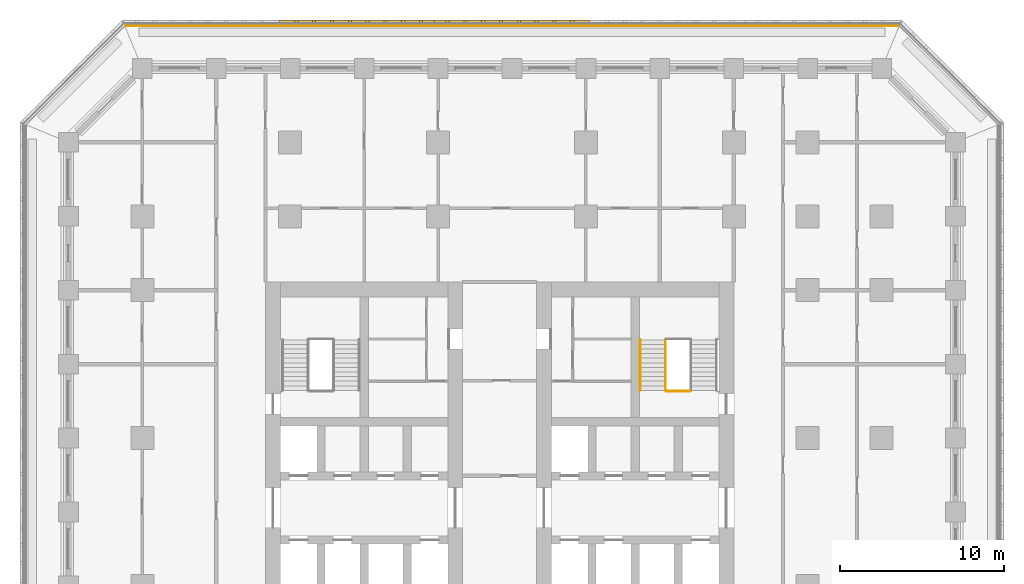
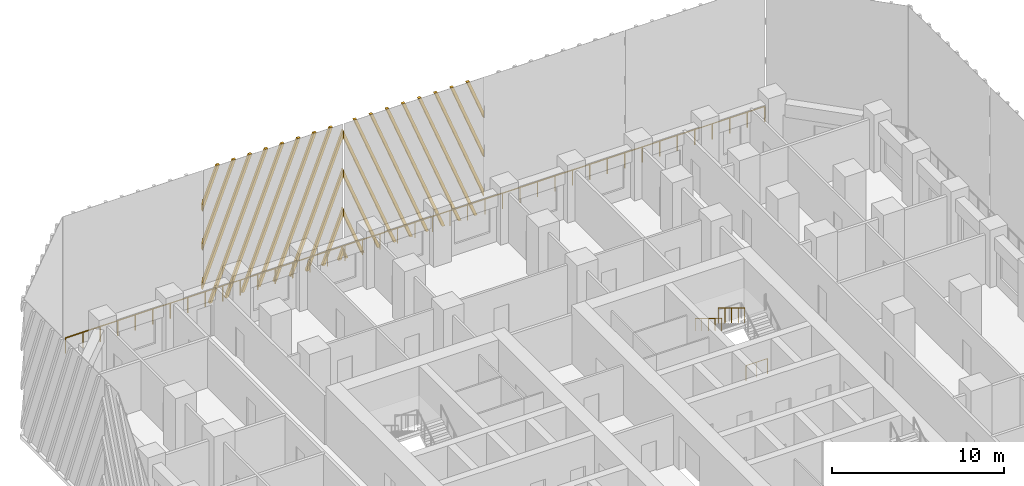
# One storey, part 17 of 20: 4 railings, 2 shading devices.
"""IFC4 building model written with IfcOpenShell, lengths in metres."""

from ifc_helpers import new_model, si_unit, direction, frame, origin, origin_2d, place, context, subcontext, project, spatial, polyline, circle, outline, extrude, source, transform, mapped, material, type_object, element, save


model = new_model("IFC4")

# Units and contexts
model_context = context("Model", 3, precision=1e-05, world=origin(), true_north=direction((0.0, 1.0)))
body_context = subcontext(model_context, "Body", "Model", "MODEL_VIEW")
ifc_project = project(units=[si_unit("LENGTHUNIT", "METRE"), si_unit("AREAUNIT", "SQUARE_METRE"), si_unit("VOLUMEUNIT", "CUBIC_METRE"), si_unit("PLANEANGLEUNIT", "RADIAN"), si_unit("MASSUNIT", "GRAM", prefix="KILO")], contexts=[model_context])

# Site, building, storey
site_placement = place(None, origin())
site = spatial("IfcSite", under=ifc_project, at=site_placement, CompositionType="ELEMENT")
building_placement = place(site_placement, origin())
building = spatial("IfcBuilding", under=site, at=building_placement, Name="Corbel Stack Research Tower", CompositionType="ELEMENT")
storey_placement = place(building_placement, frame((0.0, 0.0, 106.60009765625)))
storey = spatial("IfcBuildingStorey", under=building, at=storey_placement, Name="L24", CompositionType="ELEMENT", Elevation=106.60009765625)

# Railings
ifc_material_1 = material(Name="Steel S355", Category="steel")
railing_type_1 = type_object("IfcRailingType", Name="Stair guard 1100", PredefinedType="GUARDRAIL", material=ifc_material_1)
railing_1_placement = place(storey_placement, frame((13.85009765625, 14.97998046875, 2.220703125)))
element("IfcRailing", 1, at=railing_1_placement, inside=storey, type_object=railing_type_1, Name="L24 ST-E2 stair guard 4", PredefinedType="GUARDRAIL", context=body_context, shape_type="SweptSolid", body=[
    extrude(circle(Radius=0.02392578125, at=origin_2d()), frame((0.0, 0.0, 1.076171875), z_axis=(0.0, -0.853666305674, 0.52082035152), x_axis=(1.0, 0.0, 0.0)), (0.0, 0.0, 1.0), 3.608154296875),
    extrude(circle(Radius=0.02099609375, at=origin_2d()), origin(), (0.0, 0.0, 1.0), 1.052001953125),
    extrude(circle(Radius=0.02099609375, at=origin_2d()), frame((0.0, -0.77001953125, 0.4697265625)), (0.0, 0.0, 1.0), 1.052001953125),
    extrude(circle(Radius=0.02099609375, at=origin_2d()), frame((0.0, -1.5400390625, 0.939453125)), (0.0, 0.0, 1.0), 1.052001953125),
    extrude(circle(Radius=0.02099609375, at=origin_2d()), frame((0.0, -2.31005859375, 1.409423828125)), (0.0, 0.0, 1.0), 1.052001953125),
    extrude(circle(Radius=0.02099609375, at=origin_2d()), frame((0.0, -3.080078125, 1.879150390625)), (0.0, 0.0, 1.0), 1.052001953125),
])
railing_2_placement = place(storey_placement, frame((15.35009765625, 11.85009765625, 0.0)))
element("IfcRailing", 2, at=railing_2_placement, inside=storey, type_object=railing_type_1, Name="L24 ST-E2 stair guard 5", PredefinedType="GUARDRAIL", context=body_context, shape_type="SweptSolid", body=[
    extrude(circle(Radius=0.02392578125, at=origin_2d()), frame((0.0, 0.0, 1.076171875), z_axis=(-1.0, 0.0, 0.0), x_axis=(0.0, -1.0, 0.0)), (0.0, 0.0, 1.0), 1.4501953125),
    extrude(circle(Radius=0.02099609375, at=origin_2d()), origin(), (0.0, 0.0, 1.0), 1.052001953125),
    extrude(circle(Radius=0.02099609375, at=origin_2d()), frame((-0.72509765625, 0.0, 0.0)), (0.0, 0.0, 1.0), 1.052001953125),
    extrude(circle(Radius=0.02099609375, at=origin_2d()), frame((-1.4501953125, 0.0, 0.0)), (0.0, 0.0, 1.0), 1.052001953125),
])
ifc_material_2 = material(Name="Steel S355", Category="steel")
railing_type_2 = type_object("IfcRailingType", Name="Stair handrail 900", PredefinedType="HANDRAIL", material=ifc_material_2)
railing_3_placement = place(storey_placement, frame((12.300048828125, 14.97998046875, 2.220703125)))
element("IfcRailing", 3, at=railing_3_placement, inside=storey, type_object=railing_type_2, Name="L24 ST-E2 stair handrail 2", PredefinedType="HANDRAIL", context=body_context, shape_type="SweptSolid", body=[
    extrude(circle(Radius=0.02392578125, at=origin_2d()), frame((0.0, 0.0, 0.8759765625), z_axis=(0.0, -0.853666305674, 0.52082035152), x_axis=(1.0, 0.0, 0.0)), (0.0, 0.0, 1.0), 3.608154296875),
    extrude(circle(Radius=0.02099609375, at=origin_2d()), origin(), (0.0, 0.0, 1.0), 0.851806640625),
    extrude(circle(Radius=0.02099609375, at=origin_2d()), frame((0.0, -0.77001953125, 0.4697265625)), (0.0, 0.0, 1.0), 0.851806640625),
    extrude(circle(Radius=0.02099609375, at=origin_2d()), frame((0.0, -1.5400390625, 0.939453125)), (0.0, 0.0, 1.0), 0.851806640625),
    extrude(circle(Radius=0.02099609375, at=origin_2d()), frame((0.0, -2.31005859375, 1.409423828125)), (0.0, 0.0, 1.0), 0.851806640625),
    extrude(circle(Radius=0.02099609375, at=origin_2d()), frame((0.0, -3.080078125, 1.879150390625)), (0.0, 0.0, 1.0), 0.851806640625),
])
ifc_material_3 = material(Name="Powder-coated steel guard", Category="steel")
railing_type_3 = type_object("IfcRailingType", Name="Steel and glass guard 1100", PredefinedType="GUARDRAIL", material=ifc_material_3)
railing_4_placement = place(storey_placement, frame((28.00537109375, 34.10009765625, 0.0)))
element("IfcRailing", 4, at=railing_4_placement, inside=storey, type_object=railing_type_3, Name="Loggia guard L24 N", PredefinedType="GUARDRAIL", context=body_context, shape_type="SweptSolid", body=[
    extrude(circle(Radius=0.02392578125, at=origin_2d()), frame((0.0, 0.0, 1.076171875), z_axis=(-1.0, 0.0, 0.0), x_axis=(0.0, -1.0, 0.0)), (0.0, 0.0, 1.0), 47.0107421875),
    extrude(circle(Radius=0.02099609375, at=origin_2d()), origin(), (0.0, 0.0, 1.0), 1.052001953125),
    extrude(circle(Radius=0.02099609375, at=origin_2d()), frame((-1.17529296875, 0.0, 0.0)), (0.0, 0.0, 1.0), 1.052001953125),
    extrude(circle(Radius=0.02099609375, at=origin_2d()), frame((-2.3505859375, 0.0, 0.0)), (0.0, 0.0, 1.0), 1.052001953125),
    extrude(circle(Radius=0.02099609375, at=origin_2d()), frame((-3.52587890625, 0.0, 0.0)), (0.0, 0.0, 1.0), 1.052001953125),
    extrude(circle(Radius=0.02099609375, at=origin_2d()), frame((-4.701171875, 0.0, 0.0)), (0.0, 0.0, 1.0), 1.052001953125),
    extrude(circle(Radius=0.02099609375, at=origin_2d()), frame((-5.87646484375, 0.0, 0.0)), (0.0, 0.0, 1.0), 1.052001953125),
    extrude(circle(Radius=0.02099609375, at=origin_2d()), frame((-7.051513671875, 0.0, 0.0)), (0.0, 0.0, 1.0), 1.052001953125),
    extrude(circle(Radius=0.02099609375, at=origin_2d()), frame((-8.226806640625, 0.0, 0.0)), (0.0, 0.0, 1.0), 1.052001953125),
    extrude(circle(Radius=0.02099609375, at=origin_2d()), frame((-9.402099609375, 0.0, 0.0)), (0.0, 0.0, 1.0), 1.052001953125),
    extrude(circle(Radius=0.02099609375, at=origin_2d()), frame((-10.577392578125, 0.0, 0.0)), (0.0, 0.0, 1.0), 1.052001953125),
    extrude(circle(Radius=0.02099609375, at=origin_2d()), frame((-11.752685546875, 0.0, 0.0)), (0.0, 0.0, 1.0), 1.052001953125),
    extrude(circle(Radius=0.02099609375, at=origin_2d()), frame((-12.927978515625, 0.0, 0.0)), (0.0, 0.0, 1.0), 1.052001953125),
    extrude(circle(Radius=0.02099609375, at=origin_2d()), frame((-14.103271484375, 0.0, 0.0)), (0.0, 0.0, 1.0), 1.052001953125),
    extrude(circle(Radius=0.02099609375, at=origin_2d()), frame((-15.278564453125, 0.0, 0.0)), (0.0, 0.0, 1.0), 1.052001953125),
    extrude(circle(Radius=0.02099609375, at=origin_2d()), frame((-16.453857421875, 0.0, 0.0)), (0.0, 0.0, 1.0), 1.052001953125),
    extrude(circle(Radius=0.02099609375, at=origin_2d()), frame((-17.62890625, 0.0, 0.0)), (0.0, 0.0, 1.0), 1.052001953125),
    extrude(circle(Radius=0.02099609375, at=origin_2d()), frame((-18.80419921875, 0.0, 0.0)), (0.0, 0.0, 1.0), 1.052001953125),
    extrude(circle(Radius=0.02099609375, at=origin_2d()), frame((-19.9794921875, 0.0, 0.0)), (0.0, 0.0, 1.0), 1.052001953125),
    extrude(circle(Radius=0.02099609375, at=origin_2d()), frame((-21.15478515625, 0.0, 0.0)), (0.0, 0.0, 1.0), 1.052001953125),
    extrude(circle(Radius=0.02099609375, at=origin_2d()), frame((-22.330078125, 0.0, 0.0)), (0.0, 0.0, 1.0), 1.052001953125),
    extrude(circle(Radius=0.02099609375, at=origin_2d()), frame((-23.50537109375, 0.0, 0.0)), (0.0, 0.0, 1.0), 1.052001953125),
    extrude(circle(Radius=0.02099609375, at=origin_2d()), frame((-24.6806640625, 0.0, 0.0)), (0.0, 0.0, 1.0), 1.052001953125),
    extrude(circle(Radius=0.02099609375, at=origin_2d()), frame((-25.85595703125, 0.0, 0.0)), (0.0, 0.0, 1.0), 1.052001953125),
    extrude(circle(Radius=0.02099609375, at=origin_2d()), frame((-27.03125, 0.0, 0.0)), (0.0, 0.0, 1.0), 1.052001953125),
    extrude(circle(Radius=0.02099609375, at=origin_2d()), frame((-28.20654296875, 0.0, 0.0)), (0.0, 0.0, 1.0), 1.052001953125),
    extrude(circle(Radius=0.02099609375, at=origin_2d()), frame((-29.3818359375, 0.0, 0.0)), (0.0, 0.0, 1.0), 1.052001953125),
    extrude(circle(Radius=0.02099609375, at=origin_2d()), frame((-30.556884765625, 0.0, 0.0)), (0.0, 0.0, 1.0), 1.052001953125),
    extrude(circle(Radius=0.02099609375, at=origin_2d()), frame((-31.732177734375, 0.0, 0.0)), (0.0, 0.0, 1.0), 1.052001953125),
    extrude(circle(Radius=0.02099609375, at=origin_2d()), frame((-32.907470703125, 0.0, 0.0)), (0.0, 0.0, 1.0), 1.052001953125),
    extrude(circle(Radius=0.02099609375, at=origin_2d()), frame((-34.082763671875, 0.0, 0.0)), (0.0, 0.0, 1.0), 1.052001953125),
    extrude(circle(Radius=0.02099609375, at=origin_2d()), frame((-35.258056640625, 0.0, 0.0)), (0.0, 0.0, 1.0), 1.052001953125),
    extrude(circle(Radius=0.02099609375, at=origin_2d()), frame((-36.433349609375, 0.0, 0.0)), (0.0, 0.0, 1.0), 1.052001953125),
    extrude(circle(Radius=0.02099609375, at=origin_2d()), frame((-37.608642578125, 0.0, 0.0)), (0.0, 0.0, 1.0), 1.052001953125),
    extrude(circle(Radius=0.02099609375, at=origin_2d()), frame((-38.783935546875, 0.0, 0.0)), (0.0, 0.0, 1.0), 1.052001953125),
    extrude(circle(Radius=0.02099609375, at=origin_2d()), frame((-39.959228515625, 0.0, 0.0)), (0.0, 0.0, 1.0), 1.052001953125),
    extrude(circle(Radius=0.02099609375, at=origin_2d()), frame((-41.13427734375, 0.0, 0.0)), (0.0, 0.0, 1.0), 1.052001953125),
    extrude(circle(Radius=0.02099609375, at=origin_2d()), frame((-42.3095703125, 0.0, 0.0)), (0.0, 0.0, 1.0), 1.052001953125),
    extrude(circle(Radius=0.02099609375, at=origin_2d()), frame((-43.48486328125, 0.0, 0.0)), (0.0, 0.0, 1.0), 1.052001953125),
    extrude(circle(Radius=0.02099609375, at=origin_2d()), frame((-44.66015625, 0.0, 0.0)), (0.0, 0.0, 1.0), 1.052001953125),
    extrude(circle(Radius=0.02099609375, at=origin_2d()), frame((-45.83544921875, 0.0, 0.0)), (0.0, 0.0, 1.0), 1.052001953125),
    extrude(circle(Radius=0.02099609375, at=origin_2d()), frame((-47.0107421875, 0.0, 0.0)), (0.0, 0.0, 1.0), 1.052001953125),
])

# Shading devices
ifc_material_4 = material(Name="Precast terracotta", Category="masonry")
shading_device_type = type_object("IfcShadingDeviceType", Name="Terracotta screen panel", PredefinedType="USERDEFINED", material=ifc_material_4)
shared_shape_1 = source(origin(), body_context, "Body", "SweptSolid", [
    extrude(outline(polyline([(1.152099609375, 9.64990234375), (0.962158203125, 9.64990234375), (0.0, 7.1865234375), (0.0, 6.699951171875), (1.152099609375, 9.64990234375)])), frame((0.0, 0.0, 0.0), z_axis=(0.0, -1.0, 0.0), x_axis=(1.0, 0.0, 0.0)), (0.0, 0.0, 1.0), 0.179931640625),
    extrude(outline(polyline([(2.23681640625, 9.64990234375), (2.046875, 9.64990234375), (0.0, 4.4091796875), (0.0, 3.922607421875), (2.23681640625, 9.64990234375)])), frame((0.0, 0.0, 0.0), z_axis=(0.0, -1.0, 0.0), x_axis=(1.0, 0.0, 0.0)), (0.0, 0.0, 1.0), 0.179931640625),
    extrude(outline(polyline([(3.3212890625, 9.64990234375), (3.13134765625, 9.64990234375), (0.0, 1.6318359375), (0.0, 1.1455078125), (3.3212890625, 9.64990234375)])), frame((0.0, 0.0, 0.0), z_axis=(0.0, -1.0, 0.0), x_axis=(1.0, 0.0, 0.0)), (0.0, 0.0, 1.0), 0.179931640625),
    extrude(outline(polyline([(0.63720703125, 0.0), (4.406005859375, 9.64990234375), (4.216064453125, 9.64990234375), (0.447265625, 0.0), (0.63720703125, 0.0)])), frame((0.0, 0.0, 0.0), z_axis=(0.0, -1.0, 0.0), x_axis=(1.0, 0.0, 0.0)), (0.0, 0.0, 1.0), 0.179931640625),
    extrude(outline(polyline([(1.721923828125, 0.0), (5.49072265625, 9.64990234375), (5.30078125, 9.64990234375), (1.531982421875, 0.0), (1.721923828125, 0.0)])), frame((0.0, 0.0, 0.0), z_axis=(0.0, -1.0, 0.0), x_axis=(1.0, 0.0, 0.0)), (0.0, 0.0, 1.0), 0.179931640625),
    extrude(outline(polyline([(2.806640625, 0.0), (6.575439453125, 9.64990234375), (6.385498046875, 9.64990234375), (2.61669921875, 0.0), (2.806640625, 0.0)])), frame((0.0, 0.0, 0.0), z_axis=(0.0, -1.0, 0.0), x_axis=(1.0, 0.0, 0.0)), (0.0, 0.0, 1.0), 0.179931640625),
    extrude(outline(polyline([(3.891357421875, 0.0), (7.66015625, 9.64990234375), (7.47021484375, 9.64990234375), (3.701416015625, 0.0), (3.891357421875, 0.0)])), frame((0.0, 0.0, 0.0), z_axis=(0.0, -1.0, 0.0), x_axis=(1.0, 0.0, 0.0)), (0.0, 0.0, 1.0), 0.179931640625),
    extrude(outline(polyline([(4.97607421875, 0.0), (8.744873046875, 9.64990234375), (8.5546875, 9.64990234375), (4.785888671875, 0.0), (4.97607421875, 0.0)])), frame((0.0, 0.0, 0.0), z_axis=(0.0, -1.0, 0.0), x_axis=(1.0, 0.0, 0.0)), (0.0, 0.0, 1.0), 0.179931640625),
    extrude(outline(polyline([(6.060791015625, 0.0), (9.45556640625, 8.69287109375), (9.45556640625, 9.179443359375), (5.87060546875, 0.0), (6.060791015625, 0.0)])), frame((0.0, 0.0, 0.0), z_axis=(0.0, -1.0, 0.0), x_axis=(1.0, 0.0, 0.0)), (0.0, 0.0, 1.0), 0.179931640625),
    extrude(outline(polyline([(7.145263671875, 0.0), (9.45556640625, 5.91552734375), (9.45556640625, 6.402099609375), (6.955322265625, 0.0), (7.145263671875, 0.0)])), frame((0.0, 0.0, 0.0), z_axis=(0.0, -1.0, 0.0), x_axis=(1.0, 0.0, 0.0)), (0.0, 0.0, 1.0), 0.179931640625),
    extrude(outline(polyline([(8.22998046875, 0.0), (9.45556640625, 3.13818359375), (9.45556640625, 3.624755859375), (8.0400390625, 0.0), (8.22998046875, 0.0)])), frame((0.0, 0.0, 0.0), z_axis=(0.0, -1.0, 0.0), x_axis=(1.0, 0.0, 0.0)), (0.0, 0.0, 1.0), 0.179931640625),
    extrude(outline(polyline([(9.314697265625, 0.0), (9.45556640625, 0.361083984375), (9.45556640625, 0.847412109375), (9.124755859375, 0.0), (9.314697265625, 0.0)])), frame((0.0, 0.0, 0.0), z_axis=(0.0, -1.0, 0.0), x_axis=(1.0, 0.0, 0.0)), (0.0, 0.0, 1.0), 0.179931640625),
])
shading_device_1_placement = place(storey_placement, frame((9.227783203125, 34.25, 0.0), z_axis=(0.0, 0.0, 1.0), x_axis=(-1.0, 0.0, 0.0)))
element("IfcShadingDevice", 5, at=shading_device_1_placement, inside=storey, type_object=shading_device_type, Name="Terracotta screen L24 N3", ObjectType="SCREEN", PredefinedType="USERDEFINED", context=body_context, shape_type="MappedRepresentation", body=[
    mapped(shared_shape_1, transform((0.0, 0.0, 0.0))),
])
shared_shape_2 = source(origin(), body_context, "Body", "SweptSolid", [
    extrude(outline(polyline([(0.3310546875, 0.0), (0.0, 0.847412109375), (0.0, 0.361083984375), (0.14111328125, 0.0), (0.3310546875, 0.0)])), frame((0.0, 0.0, 0.0), z_axis=(0.0, -1.0, 0.0), x_axis=(1.0, 0.0, 0.0)), (0.0, 0.0, 1.0), 0.179931640625),
    extrude(outline(polyline([(1.41552734375, 0.0), (0.0, 3.624755859375), (0.0, 3.13818359375), (1.2255859375, 0.0), (1.41552734375, 0.0)])), frame((0.0, 0.0, 0.0), z_axis=(0.0, -1.0, 0.0), x_axis=(1.0, 0.0, 0.0)), (0.0, 0.0, 1.0), 0.179931640625),
    extrude(outline(polyline([(2.500244140625, 0.0), (0.0, 6.402099609375), (0.0, 5.91552734375), (2.310302734375, 0.0), (2.500244140625, 0.0)])), frame((0.0, 0.0, 0.0), z_axis=(0.0, -1.0, 0.0), x_axis=(1.0, 0.0, 0.0)), (0.0, 0.0, 1.0), 0.179931640625),
    extrude(outline(polyline([(3.5849609375, 0.0), (0.0, 9.179443359375), (0.0, 8.69287109375), (3.39501953125, 0.0), (3.5849609375, 0.0)])), frame((0.0, 0.0, 0.0), z_axis=(0.0, -1.0, 0.0), x_axis=(1.0, 0.0, 0.0)), (0.0, 0.0, 1.0), 0.179931640625),
    extrude(outline(polyline([(4.669677734375, 0.0), (0.90087890625, 9.64990234375), (0.7109375, 9.64990234375), (4.4794921875, 0.0), (4.669677734375, 0.0)])), frame((0.0, 0.0, 0.0), z_axis=(0.0, -1.0, 0.0), x_axis=(1.0, 0.0, 0.0)), (0.0, 0.0, 1.0), 0.179931640625),
    extrude(outline(polyline([(5.75439453125, 0.0), (1.985595703125, 9.64990234375), (1.79541015625, 9.64990234375), (5.564208984375, 0.0), (5.75439453125, 0.0)])), frame((0.0, 0.0, 0.0), z_axis=(0.0, -1.0, 0.0), x_axis=(1.0, 0.0, 0.0)), (0.0, 0.0, 1.0), 0.179931640625),
    extrude(outline(polyline([(6.839111328125, 0.0), (3.0703125, 9.64990234375), (2.880126953125, 9.64990234375), (6.64892578125, 0.0), (6.839111328125, 0.0)])), frame((0.0, 0.0, 0.0), z_axis=(0.0, -1.0, 0.0), x_axis=(1.0, 0.0, 0.0)), (0.0, 0.0, 1.0), 0.179931640625),
    extrude(outline(polyline([(7.923583984375, 0.0), (4.15478515625, 9.64990234375), (3.96484375, 9.64990234375), (7.733642578125, 0.0), (7.923583984375, 0.0)])), frame((0.0, 0.0, 0.0), z_axis=(0.0, -1.0, 0.0), x_axis=(1.0, 0.0, 0.0)), (0.0, 0.0, 1.0), 0.179931640625),
    extrude(outline(polyline([(9.00830078125, 0.0), (5.239501953125, 9.64990234375), (5.049560546875, 9.64990234375), (8.818359375, 0.0), (9.00830078125, 0.0)])), frame((0.0, 0.0, 0.0), z_axis=(0.0, -1.0, 0.0), x_axis=(1.0, 0.0, 0.0)), (0.0, 0.0, 1.0), 0.179931640625),
    extrude(outline(polyline([(6.32421875, 9.64990234375), (6.13427734375, 9.64990234375), (9.45556640625, 1.1455078125), (9.45556640625, 1.6318359375), (6.32421875, 9.64990234375)])), frame((0.0, 0.0, 0.0), z_axis=(0.0, -1.0, 0.0), x_axis=(1.0, 0.0, 0.0)), (0.0, 0.0, 1.0), 0.179931640625),
    extrude(outline(polyline([(7.408935546875, 9.64990234375), (7.218994140625, 9.64990234375), (9.45556640625, 3.922607421875), (9.45556640625, 4.4091796875), (7.408935546875, 9.64990234375)])), frame((0.0, 0.0, 0.0), z_axis=(0.0, -1.0, 0.0), x_axis=(1.0, 0.0, 0.0)), (0.0, 0.0, 1.0), 0.179931640625),
    extrude(outline(polyline([(8.493408203125, 9.64990234375), (8.303466796875, 9.64990234375), (9.45556640625, 6.699951171875), (9.45556640625, 7.1865234375), (8.493408203125, 9.64990234375)])), frame((0.0, 0.0, 0.0), z_axis=(0.0, -1.0, 0.0), x_axis=(1.0, 0.0, 0.0)), (0.0, 0.0, 1.0), 0.179931640625),
])
shading_device_2_placement = place(storey_placement, frame((-0.227783203125, 34.25, 0.0), z_axis=(0.0, 0.0, 1.0), x_axis=(-1.0, 0.0, 0.0)))
element("IfcShadingDevice", 6, at=shading_device_2_placement, inside=storey, type_object=shading_device_type, Name="Terracotta screen L24 N4", ObjectType="SCREEN", PredefinedType="USERDEFINED", context=body_context, shape_type="MappedRepresentation", body=[
    mapped(shared_shape_2, transform((0.0, 0.0, 0.0))),
])

save(model, "model.ifc")
